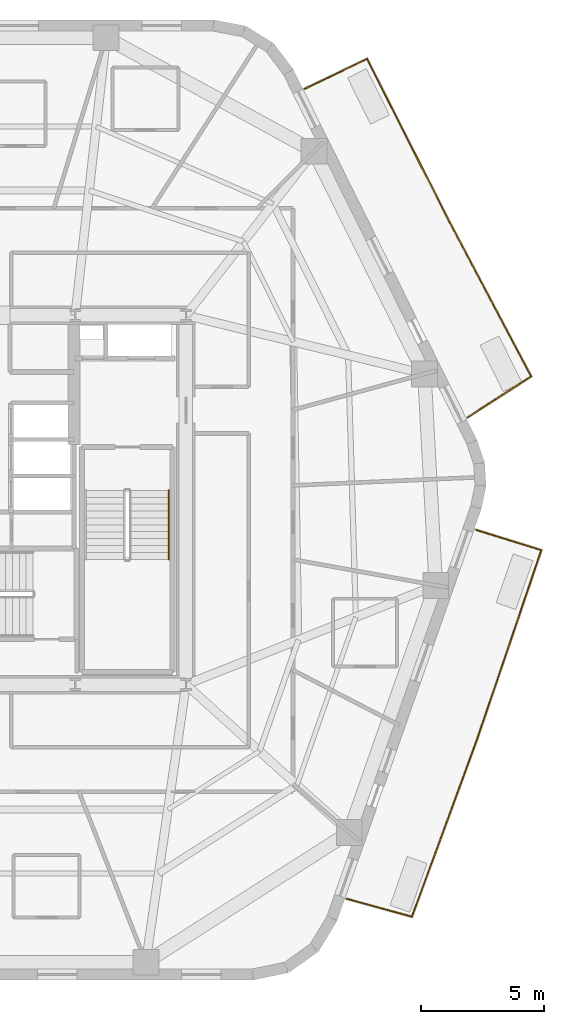
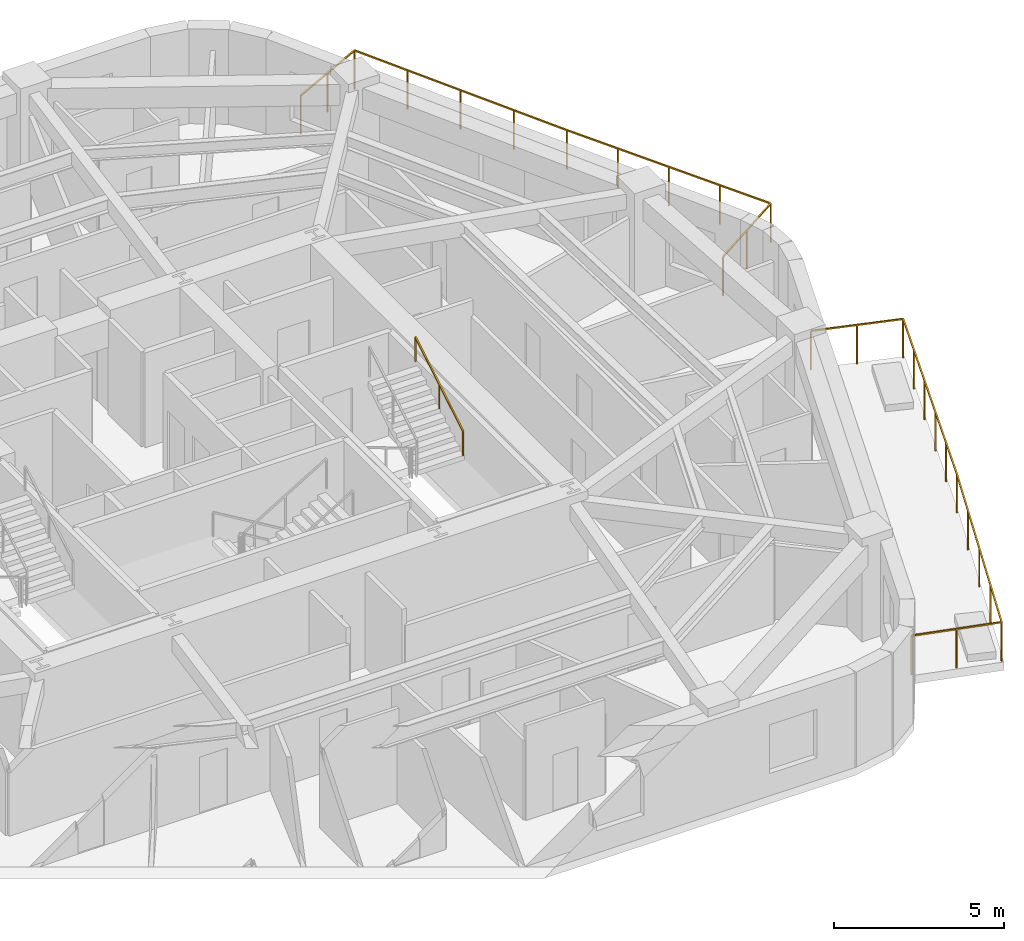
# One storey, part 10 of 10: 3 railings.
"""IFC4 building model written with IfcOpenShell, lengths in metres."""

from ifc_helpers import new_model, si_unit, direction, frame, origin, origin_2d, place, context, subcontext, project, spatial, rectangle, extrude, material, layer, layer_set, type_object, element, save


model = new_model("IFC4")

# Units and contexts
model_context = context("Model", 3, precision=1e-05, world=origin(), true_north=direction((0.0, 1.0)))
body_context = subcontext(model_context, "Body", "Model", "MODEL_VIEW")
ifc_project = project(units=[si_unit("LENGTHUNIT", "METRE"), si_unit("AREAUNIT", "SQUARE_METRE"), si_unit("VOLUMEUNIT", "CUBIC_METRE"), si_unit("PLANEANGLEUNIT", "RADIAN"), si_unit("MASSUNIT", "GRAM", prefix="KILO")], contexts=[model_context])

# Site, building, storey
site_placement = place(None, origin())
site = spatial("IfcSite", under=ifc_project, at=site_placement, CompositionType="ELEMENT")
building_placement = place(site_placement, origin())
building = spatial("IfcBuilding", under=site, at=building_placement, Name="Kilnhurst Terrace Hotel", CompositionType="ELEMENT")
storey_placement = place(building_placement, frame((0.0, 0.0, 179.300048828125)))
storey = spatial("IfcBuildingStorey", under=building, at=storey_placement, Name="L44", CompositionType="ELEMENT", Elevation=179.300048828125)

# Railings
ifc_material_1 = material(Name="Laminated SentryGlas and Stainless Steel AISI 316L Balustrade", Category="steel")
ifc_layer_1 = layer(ifc_material_1, 0.070068359375, Name="Laminated SentryGlas and Stainless Steel AISI 316L Balustrade")
ifc_layer_set_1 = layer_set([ifc_layer_1], Name="Laminated SentryGlas and Stainless Steel AISI 316L Balustrade")
railing_type_1 = type_object("IfcRailingType", Name="RLG-BAL-1420", PredefinedType="BALUSTRADE", material=ifc_layer_set_1)
railing_1_placement = place(storey_placement, frame((20.783935546875, -1.215087890625, 0.0)))
element("IfcRailing", 1, at=railing_1_placement, inside=storey, type_object=railing_type_1, Name="L44 Exterior Terrace Guardrail BAL-L1A.1", PredefinedType="BALUSTRADE", context=body_context, shape_type="SweptSolid", body=[
    extrude(rectangle(XDim=0.048095703125, YDim=0.048095703125, at=origin_2d()), frame((0.0, 0.0, 1.39599609375), z_axis=(0.954948187333, -0.29677257203, 0.0), x_axis=(0.29677257203, 0.954948187333, 0.0)), (0.0, 0.0, 1.0), 2.7763671875),
    extrude(rectangle(XDim=0.048095703125, YDim=0.048095703125, at=origin_2d()), frame((2.6513671875, -0.823974609375, 1.39599609375), z_axis=(-0.321641701575, -0.946861455445, 0.0), x_axis=(0.946861455445, -0.321641701575, 0.0)), (0.0, 0.0, 1.0), 8.082275390625),
    extrude(rectangle(XDim=0.048095703125, YDim=0.048095703125, at=origin_2d()), frame((0.0517578125, -8.476806640625, 1.39599609375), z_axis=(-0.344704120874, -0.938711387516, 0.0), x_axis=(0.938711387516, -0.344704120874, 0.0)), (0.0, 0.0, 1.0), 7.7080078125),
    extrude(rectangle(XDim=0.048095703125, YDim=0.048095703125, at=origin_2d()), frame((-2.605224609375, -15.71240234375, 1.39599609375), z_axis=(-0.964239560757, 0.265032204593, 0.0), x_axis=(-0.265032204593, -0.964239560757, 0.0)), (0.0, 0.0, 1.0), 2.739501953125),
    extrude(rectangle(XDim=0.0419921875, YDim=0.0419921875, at=origin_2d()), origin(), (0.0, 0.0, 1.0), 1.371826171875),
    extrude(rectangle(XDim=0.0419921875, YDim=0.0419921875, at=origin_2d()), frame((1.32568359375, -0.412109375, 0.0)), (0.0, 0.0, 1.0), 1.371826171875),
    extrude(rectangle(XDim=0.0419921875, YDim=0.0419921875, at=origin_2d()), frame((2.6513671875, -0.823974609375, 0.0)), (0.0, 0.0, 1.0), 1.371826171875),
    extrude(rectangle(XDim=0.0419921875, YDim=0.0419921875, at=origin_2d()), frame((2.13134765625, -2.3544921875, 0.0)), (0.0, 0.0, 1.0), 1.371826171875),
    extrude(rectangle(XDim=0.0419921875, YDim=0.0419921875, at=origin_2d()), frame((1.611572265625, -3.885009765625, 0.0)), (0.0, 0.0, 1.0), 1.371826171875),
    extrude(rectangle(XDim=0.0419921875, YDim=0.0419921875, at=origin_2d()), frame((1.091552734375, -5.415771484375, 0.0)), (0.0, 0.0, 1.0), 1.371826171875),
    extrude(rectangle(XDim=0.0419921875, YDim=0.0419921875, at=origin_2d()), frame((0.57177734375, -6.9462890625, 0.0)), (0.0, 0.0, 1.0), 1.371826171875),
    extrude(rectangle(XDim=0.0419921875, YDim=0.0419921875, at=origin_2d()), frame((0.0517578125, -8.476806640625, 0.0)), (0.0, 0.0, 1.0), 1.371826171875),
    extrude(rectangle(XDim=0.0419921875, YDim=0.0419921875, at=origin_2d()), frame((-0.612548828125, -10.28564453125, 0.0)), (0.0, 0.0, 1.0), 1.371826171875),
    extrude(rectangle(XDim=0.0419921875, YDim=0.0419921875, at=origin_2d()), frame((-1.27685546875, -12.0947265625, 0.0)), (0.0, 0.0, 1.0), 1.371826171875),
    extrude(rectangle(XDim=0.0419921875, YDim=0.0419921875, at=origin_2d()), frame((-1.94091796875, -13.903564453125, 0.0)), (0.0, 0.0, 1.0), 1.371826171875),
    extrude(rectangle(XDim=0.0419921875, YDim=0.0419921875, at=origin_2d()), frame((-2.605224609375, -15.71240234375, 0.0)), (0.0, 0.0, 1.0), 1.371826171875),
    extrude(rectangle(XDim=0.0419921875, YDim=0.0419921875, at=origin_2d()), frame((-3.926025390625, -15.349365234375, 0.0)), (0.0, 0.0, 1.0), 1.371826171875),
    extrude(rectangle(XDim=0.0419921875, YDim=0.0419921875, at=origin_2d()), frame((-5.246826171875, -14.986328125, 0.0)), (0.0, 0.0, 1.0), 1.371826171875),
])
railing_2_placement = place(storey_placement, frame((13.83544921875, 16.709716796875, 0.0)))
element("IfcRailing", 2, at=railing_2_placement, inside=storey, type_object=railing_type_1, Name="L44 Exterior Terrace Guardrail BAL-L1B.1", PredefinedType="BALUSTRADE", context=body_context, shape_type="SweptSolid", body=[
    extrude(rectangle(XDim=0.048095703125, YDim=0.048095703125, at=origin_2d()), frame((0.0, 0.0, 1.39599609375), z_axis=(0.901469931109, 0.43284173009, 0.0), x_axis=(-0.43284173009, 0.901469931109, 0.0)), (0.0, 0.0, 1.0), 2.797119140625),
    extrude(rectangle(XDim=0.048095703125, YDim=0.048095703125, at=origin_2d()), frame((2.521484375, 1.210693359375, 1.39599609375), z_axis=(0.450616671131, -0.892717545307, 0.0), x_axis=(0.892717545307, 0.450616671131, 0.0)), (0.0, 0.0, 1.0), 7.453857421875),
    extrude(rectangle(XDim=0.048095703125, YDim=0.048095703125, at=origin_2d()), frame((5.88037109375, -5.443603515625, 1.39599609375), z_axis=(0.4472135955, -0.894427191, 0.0), x_axis=(0.894427191, 0.4472135955, 0.0)), (0.0, 0.0, 1.0), 0.0009765625),
    extrude(rectangle(XDim=0.048095703125, YDim=0.048095703125, at=origin_2d()), frame((5.880859375, -5.444580078125, 1.39599609375), z_axis=(0.46789407085, -0.883784554325, 0.0), x_axis=(0.883784554325, 0.46789407085, 0.0)), (0.0, 0.0, 1.0), 7.0654296875),
    extrude(rectangle(XDim=0.048095703125, YDim=0.048095703125, at=origin_2d()), frame((9.186767578125, -11.68896484375, 1.39599609375), z_axis=(-0.841139546062, -0.540818143233, 0.0), x_axis=(0.540818143233, -0.841139546062, 0.0)), (0.0, 0.0, 1.0), 3.056640625),
    extrude(rectangle(XDim=0.0419921875, YDim=0.0419921875, at=origin_2d()), origin(), (0.0, 0.0, 1.0), 1.371826171875),
    extrude(rectangle(XDim=0.0419921875, YDim=0.0419921875, at=origin_2d()), frame((1.2607421875, 0.60546875, 0.0)), (0.0, 0.0, 1.0), 1.371826171875),
    extrude(rectangle(XDim=0.0419921875, YDim=0.0419921875, at=origin_2d()), frame((2.521484375, 1.210693359375, 0.0)), (0.0, 0.0, 1.0), 1.371826171875),
    extrude(rectangle(XDim=0.0419921875, YDim=0.0419921875, at=origin_2d()), frame((3.361328125, -0.452880859375, 0.0)), (0.0, 0.0, 1.0), 1.371826171875),
    extrude(rectangle(XDim=0.0419921875, YDim=0.0419921875, at=origin_2d()), frame((4.200927734375, -2.116455078125, 0.0)), (0.0, 0.0, 1.0), 1.371826171875),
    extrude(rectangle(XDim=0.0419921875, YDim=0.0419921875, at=origin_2d()), frame((5.04052734375, -3.780029296875, 0.0)), (0.0, 0.0, 1.0), 1.371826171875),
    extrude(rectangle(XDim=0.0419921875, YDim=0.0419921875, at=origin_2d()), frame((5.88037109375, -5.443603515625, 0.0)), (0.0, 0.0, 1.0), 1.371826171875),
    extrude(rectangle(XDim=0.0419921875, YDim=0.0419921875, at=origin_2d()), frame((5.880859375, -5.444580078125, 0.0)), (0.0, 0.0, 1.0), 1.371826171875),
    extrude(rectangle(XDim=0.0419921875, YDim=0.0419921875, at=origin_2d()), frame((6.707275390625, -7.005615234375, 0.0)), (0.0, 0.0, 1.0), 1.371826171875),
    extrude(rectangle(XDim=0.0419921875, YDim=0.0419921875, at=origin_2d()), frame((7.53369140625, -8.56689453125, 0.0)), (0.0, 0.0, 1.0), 1.371826171875),
    extrude(rectangle(XDim=0.0419921875, YDim=0.0419921875, at=origin_2d()), frame((8.3603515625, -10.1279296875, 0.0)), (0.0, 0.0, 1.0), 1.371826171875),
    extrude(rectangle(XDim=0.0419921875, YDim=0.0419921875, at=origin_2d()), frame((9.186767578125, -11.68896484375, 0.0)), (0.0, 0.0, 1.0), 1.371826171875),
    extrude(rectangle(XDim=0.0419921875, YDim=0.0419921875, at=origin_2d()), frame((7.9013671875, -12.515625, 0.0)), (0.0, 0.0, 1.0), 1.371826171875),
    extrude(rectangle(XDim=0.0419921875, YDim=0.0419921875, at=origin_2d()), frame((6.61572265625, -13.342041015625, 0.0)), (0.0, 0.0, 1.0), 1.371826171875),
])
ifc_material_2 = material(Name="Brushed Stainless Steel AISI 304", Category="steel")
ifc_layer_2 = layer(ifc_material_2, 0.048095703125, Name="Brushed Stainless Steel AISI 304")
ifc_layer_set_2 = layer_set([ifc_layer_2], Name="Brushed Stainless Steel AISI 304")
railing_type_2 = type_object("IfcRailingType", Name="RLG-ST-HRL-900", PredefinedType="HANDRAIL", material=ifc_layer_set_2)
railing_3_placement = place(storey_placement, frame((8.300048828125, -2.409912109375, 2.01806640625)))
element("IfcRailing", 3, at=railing_3_placement, inside=storey, type_object=railing_type_2, Name="L44 ST-2 stair handrail 2", PredefinedType="HANDRAIL", context=body_context, shape_type="SweptSolid", body=[
    extrude(rectangle(XDim=0.048095703125, YDim=0.048095703125, at=origin_2d()), frame((0.0, 0.0, 0.8759765625), z_axis=(0.0, 0.857222391501, 0.514946377315), x_axis=(-1.0, 0.0, 0.0)), (0.0, 0.0, 1.0), 3.26611328125),
    extrude(rectangle(XDim=0.0419921875, YDim=0.0419921875, at=origin_2d()), origin(), (0.0, 0.0, 1.0), 0.851806640625),
    extrude(rectangle(XDim=0.0419921875, YDim=0.0419921875, at=origin_2d()), frame((0.0, 1.39990234375, 0.8408203125)), (0.0, 0.0, 1.0), 0.851806640625),
    extrude(rectangle(XDim=0.0419921875, YDim=0.0419921875, at=origin_2d()), frame((0.0, 2.7998046875, 1.681884765625)), (0.0, 0.0, 1.0), 0.851806640625),
])

save(model, "model.ifc")
